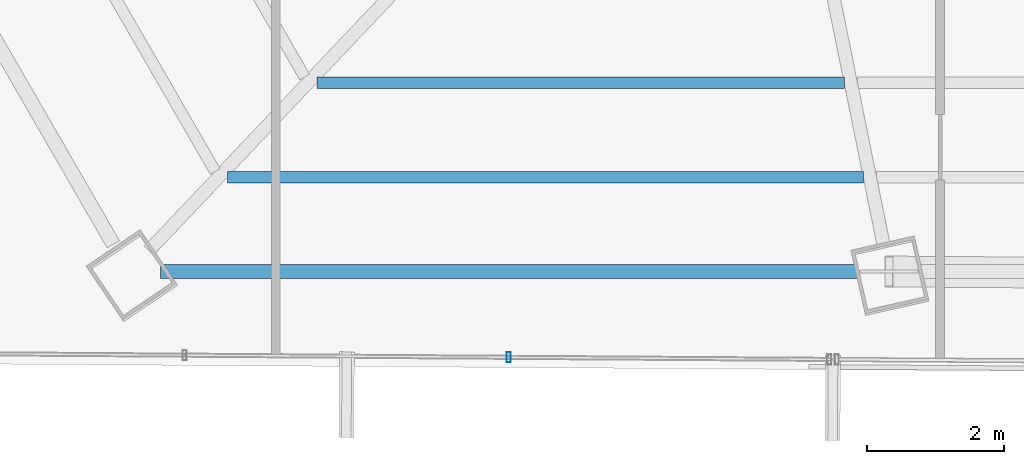
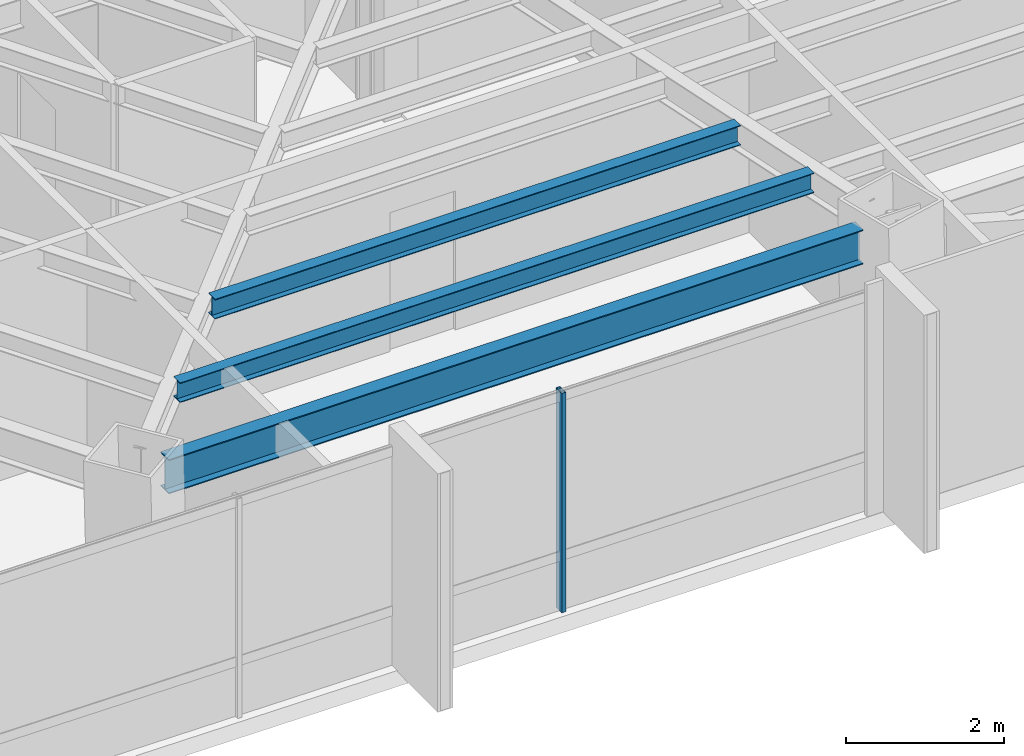
# One storey, part 4 of 41: 3 beams, 1 member, 1 element without a shape of its own.
"""IFC4 building model written with IfcOpenShell, lengths in metres."""

from ifc_helpers import new_model, si_unit, direction, frame, origin, origin_2d, place, context, subcontext, project, spatial, hollow_rectangle, i_section, extrude, source, transform, mapped, material, material_profile, profile_set, type_object, type_shapes, element, aggregate, save


model = new_model("IFC4")

# Units and contexts
model_context = context("Model", 3, precision=1e-05, world=origin(), true_north=direction((0.0, 1.0)))
body_context = subcontext(model_context, "Body", "Model", "MODEL_VIEW")
ifc_project = project(units=[si_unit("LENGTHUNIT", "METRE"), si_unit("AREAUNIT", "SQUARE_METRE"), si_unit("VOLUMEUNIT", "CUBIC_METRE"), si_unit("PLANEANGLEUNIT", "RADIAN"), si_unit("MASSUNIT", "GRAM", prefix="KILO")], contexts=[model_context])

# Site, building, storey
site_placement = place(None, origin())
site = spatial("IfcSite", under=ifc_project, at=site_placement, CompositionType="ELEMENT")
building_placement = place(site_placement, origin())
building = spatial("IfcBuilding", under=site, at=building_placement, Name="Caelisora Broadcast Tower", CompositionType="ELEMENT")
storey_placement = place(building_placement, frame((0.0, 0.0, 173.10009765625)))
storey = spatial("IfcBuildingStorey", under=building, at=storey_placement, Name="L45", CompositionType="ELEMENT", Elevation=173.10009765625)

# Beams
ifc_material_1 = material(Name="Steel Grade 350 (AS/NZS 3679.1)", Category="steel")
ifc_material_profile_1 = material_profile(ifc_material_1, i_section(OverallWidth=0.208984375, OverallDepth=0.532958984375, WebThickness=0.01025390625, FlangeThickness=0.015625, at=origin_2d()), Name="Steel Grade 350 (AS/NZS 3679.1)")
ifc_profile_set_1 = profile_set([ifc_material_profile_1], Name="Steel Grade 350 (AS/NZS 3679.1)")
beam_type_1 = type_object("IfcBeamType", Name="PG05", PredefinedType="BEAM", material=ifc_profile_set_1)
shared_shape_1 = source(origin(), body_context, "Body", "SweptSolid", [
    extrude(i_section(OverallWidth=0.208984375, OverallDepth=0.532958984375, WebThickness=0.01025390625, FlangeThickness=0.015625, at=origin_2d()), origin(), (0.0, 0.0, 1.0), 10.174072265625),
])
type_shapes(beam_type_1, [shared_shape_1])
beam_1_placement = place(storey_placement, frame((21.81884765625, 7.75439453125, 3.13330078125), z_axis=(1.0, 0.0, 0.0), x_axis=(0.0, 1.0, 0.0)))
element("IfcBeam", 1, at=beam_1_placement, inside=storey, type_object=beam_type_1, Name="L45 beam PG05", PredefinedType="BEAM", context=body_context, shape_type="MappedRepresentation", body=[
    mapped(shared_shape_1, transform((0.0, 0.0, 0.0), scale=1.0)),
])
ifc_material_profile_2 = material_profile(ifc_material_1, i_section(OverallWidth=0.166015625, OverallDepth=0.30712890625, WebThickness=0.006591796875, FlangeThickness=0.01171875, at=origin_2d()), Name="Steel Grade 350 (AS/NZS 3679.1)")
ifc_profile_set_2 = profile_set([ifc_material_profile_2], Name="Steel Grade 350 (AS/NZS 3679.1)")
beam_type_2 = type_object("IfcBeamType", Name="SB03", PredefinedType="JOIST", material=ifc_profile_set_2)
shared_shape_2 = source(origin(), body_context, "Body", "SweptSolid", [
    extrude(i_section(OverallWidth=0.166015625, OverallDepth=0.30712890625, WebThickness=0.006591796875, FlangeThickness=0.01171875, at=origin_2d()), origin(), (0.0, 0.0, 1.0), 7.701416015625),
])
beam_2_placement = place(storey_placement, frame((24.09912109375, 10.51025390625, 3.246337890625), z_axis=(1.0, 0.0, 0.0), x_axis=(0.0, 1.0, 0.0)))
element("IfcBeam", 2, at=beam_2_placement, inside=storey, type_object=beam_type_2, Name="L45 beam SB03", PredefinedType="JOIST", context=body_context, shape_type="MappedRepresentation", body=[
    mapped(shared_shape_2, transform((0.0, 0.0, 0.0), scale=1.0)),
])
shared_shape_3 = source(origin(), body_context, "Body", "SweptSolid", [
    extrude(i_section(OverallWidth=0.166015625, OverallDepth=0.30712890625, WebThickness=0.006591796875, FlangeThickness=0.01171875, at=origin_2d()), origin(), (0.0, 0.0, 1.0), 9.2861328125),
])
type_shapes(beam_type_2, [shared_shape_2, shared_shape_3])
beam_3_placement = place(storey_placement, frame((22.79345703125, 9.13232421875, 3.246337890625), z_axis=(1.0, 0.0, 0.0), x_axis=(0.0, 1.0, 0.0)))
element("IfcBeam", 3, at=beam_3_placement, inside=storey, type_object=beam_type_2, Name="L45 beam SB03", PredefinedType="JOIST", context=body_context, shape_type="MappedRepresentation", body=[
    mapped(shared_shape_3, transform((0.0, 0.0, 0.0), scale=1.0)),
])

# Curtain wall, member
ifc_material_2 = material(Name="Unitised Aluminium and Low-E Glass Curtain Wall", Category="glass")
curtain_wall_type = type_object("IfcCurtainWallType", Name="CW-Z3", PredefinedType="NOTDEFINED", material=ifc_material_2)
curtain_wall_placement = place(storey_placement, origin())
curtain_wall = element("IfcCurtainWall", 4, at=curtain_wall_placement, inside=storey, type_object=curtain_wall_type, Name="L45 curtain wall CW-Z3", PredefinedType="NOTDEFINED")
ifc_material_3 = material(Name="Aluminium 6063-T6 Anodised Terracotta Bronze", Category="aluminium")
ifc_material_profile_3 = material_profile(ifc_material_3, hollow_rectangle(XDim=0.06005859375, YDim=0.14990234375, WallThickness=0.00341796875, at=origin_2d()), Name="Aluminium 6063-T6 Anodised Terracotta Bronze")
ifc_profile_set_3 = profile_set([ifc_material_profile_3], Name="Aluminium 6063-T6 Anodised Terracotta Bronze")
member_type = type_object("IfcMemberType", Name="CWM-03", PredefinedType="MULLION", material=ifc_profile_set_3)
shared_shape_4 = source(origin(), body_context, "Body", "SweptSolid", [
    extrude(hollow_rectangle(XDim=0.06005859375, YDim=0.14990234375, WallThickness=0.00341796875, at=origin_2d()), origin(), (0.0, 0.0, 1.0), 3.39990234375),
])
type_shapes(member_type, [shared_shape_4])
member_placement = place(storey_placement, frame((26.90087890625, 6.50244140625, 0.0), z_axis=(0.0, 0.0, 1.0), x_axis=(1.0, 0.0, 0.0)))
member = element("IfcMember", 5, at=member_placement, type_object=member_type, Name="L45-CW-B07 mullion #1", PredefinedType="MULLION", context=body_context, shape_type="MappedRepresentation", body=[
    mapped(shared_shape_4, transform((0.0, 0.0, 0.0), scale=1.0)),
])
aggregate(curtain_wall, [member])

save(model, "model.ifc")
